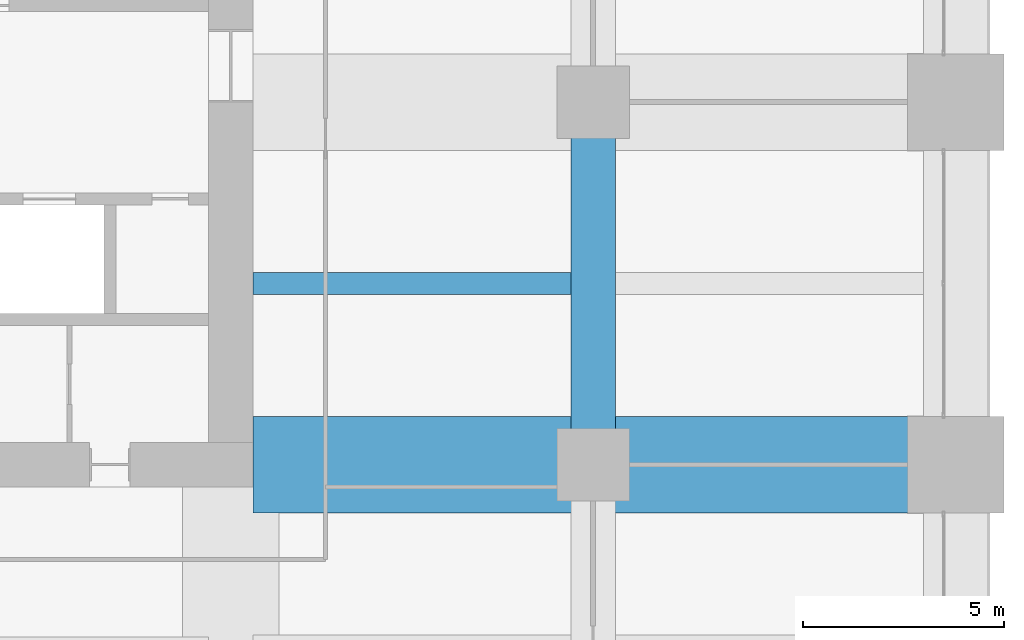
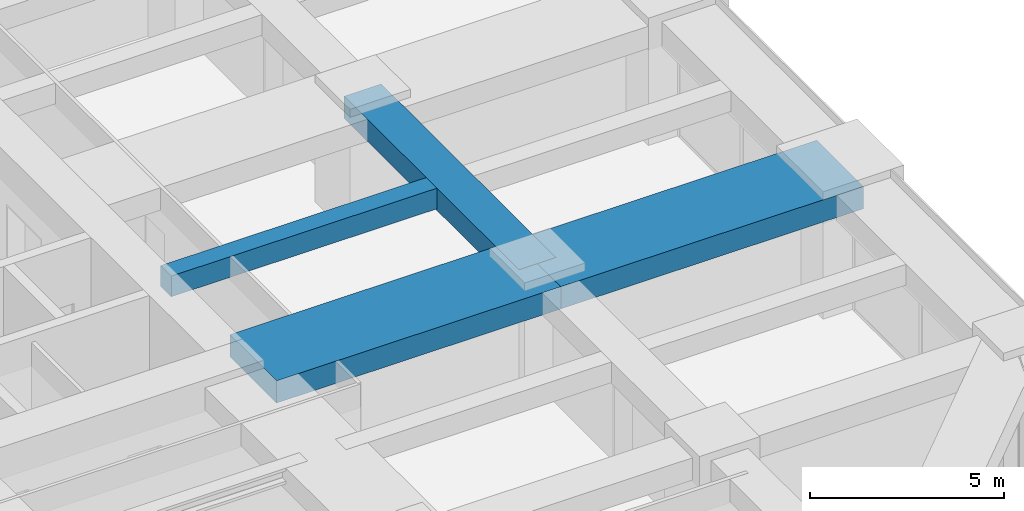
# One storey, part 20 of 43: 4 beams.
"""IFC4 building model written with IfcOpenShell, lengths in metres."""

from ifc_helpers import new_model, si_unit, direction, frame, origin, origin_2d, place, context, subcontext, project, spatial, rectangle, extrude, material, material_profile, profile_set, type_object, element, save


model = new_model("IFC4")

# Units and contexts
model_context = context("Model", 3, precision=1e-05, world=origin(), true_north=direction((0.0, 1.0)))
body_context = subcontext(model_context, "Body", "Model", "MODEL_VIEW")
ifc_project = project(units=[si_unit("LENGTHUNIT", "METRE"), si_unit("AREAUNIT", "SQUARE_METRE"), si_unit("VOLUMEUNIT", "CUBIC_METRE"), si_unit("PLANEANGLEUNIT", "RADIAN"), si_unit("MASSUNIT", "GRAM", prefix="KILO")], contexts=[model_context])

# Site, building, storey
site_placement = place(None, origin())
site = spatial("IfcSite", under=ifc_project, at=site_placement, CompositionType="ELEMENT")
building_placement = place(site_placement, origin())
building = spatial("IfcBuilding", under=site, at=building_placement, Name="Zorevar Civic Tower", CompositionType="ELEMENT")
storey_placement = place(building_placement, frame((0.0, 0.0, 145.0)))
storey = spatial("IfcBuildingStorey", under=building, at=storey_placement, Name="L35", CompositionType="ELEMENT", Elevation=145.0)

# Beams
ifc_material_1 = material(Name="Concrete C50/60", Category="concrete")
ifc_material_profile_1 = material_profile(ifc_material_1, rectangle(XDim=1.10009765625, YDim=0.699951171875, at=origin_2d()), Name="RC 1100x700")
ifc_profile_set_1 = profile_set([ifc_material_profile_1], Name="Concrete C50/60")
beam_type_1 = type_object("IfcBeamType", Name="Beam RC 1100x700", PredefinedType="BEAM", material=ifc_profile_set_1)
beam_1_placement = place(storey_placement, frame((54.0, 18.0, 3.39990234375), z_axis=(0.0, 1.0, 0.0), x_axis=(-1.0, 0.0, 0.0)))
element("IfcBeam", 1, at=beam_1_placement, inside=storey, type_object=beam_type_1, Name="Girder L36", PredefinedType="BEAM", context=body_context, shape_type="SweptSolid", body=[
    extrude(rectangle(XDim=1.10009765625, YDim=0.699951171875, at=origin_2d()), origin(), (0.0, 0.0, 1.0), 9.0),
])
ifc_material_2 = material(Name="Concrete C50/60", Category="concrete")
ifc_material_profile_2 = material_profile(ifc_material_2, rectangle(XDim=2.39990234375, YDim=0.699951171875, at=origin_2d()), Name="RC 2400x700")
ifc_profile_set_2 = profile_set([ifc_material_profile_2], Name="Concrete C50/60")
beam_type_2 = type_object("IfcBeamType", Name="Beam RC 2400x700", PredefinedType="BEAM", material=ifc_profile_set_2)
beam_2_placement = place(storey_placement, frame((45.550048828125, 18.0, 3.39990234375), z_axis=(1.0, 0.0, 0.0), x_axis=(0.0, 1.0, 0.0)))
element("IfcBeam", 2, at=beam_2_placement, inside=storey, type_object=beam_type_2, Name="Girder L36", PredefinedType="BEAM", context=body_context, shape_type="SweptSolid", body=[
    extrude(rectangle(XDim=2.39990234375, YDim=0.699951171875, at=origin_2d()), origin(), (0.0, 0.0, 1.0), 8.449951171875),
])
beam_3_placement = place(storey_placement, frame((54.0, 18.0, 3.39990234375), z_axis=(1.0, 0.0, 0.0), x_axis=(0.0, 1.0, 0.0)))
element("IfcBeam", 3, at=beam_3_placement, inside=storey, type_object=beam_type_2, Name="Girder L36", PredefinedType="BEAM", context=body_context, shape_type="SweptSolid", body=[
    extrude(rectangle(XDim=2.39990234375, YDim=0.699951171875, at=origin_2d()), origin(), (0.0, 0.0, 1.0), 9.0),
])
ifc_material_3 = material(Name="Concrete C50/60", Category="concrete")
ifc_material_profile_3 = material_profile(ifc_material_3, rectangle(XDim=0.550048828125, YDim=0.64990234375, at=origin_2d()), Name="RC 550x650")
ifc_profile_set_3 = profile_set([ifc_material_profile_3], Name="Concrete C50/60")
beam_type_3 = type_object("IfcBeamType", Name="Beam RC 550x650", PredefinedType="BEAM", material=ifc_profile_set_3)
beam_4_placement = place(storey_placement, frame((45.550048828125, 22.5, 3.425048828125), z_axis=(1.0, 0.0, 0.0), x_axis=(0.0, 1.0, 0.0)))
element("IfcBeam", 4, at=beam_4_placement, inside=storey, type_object=beam_type_3, Name="Secondary beam L36", PredefinedType="BEAM", context=body_context, shape_type="SweptSolid", body=[
    extrude(rectangle(XDim=0.550048828125, YDim=0.64990234375, at=origin_2d()), origin(), (0.0, 0.0, 1.0), 7.89990234375),
])

save(model, "model.ifc")
